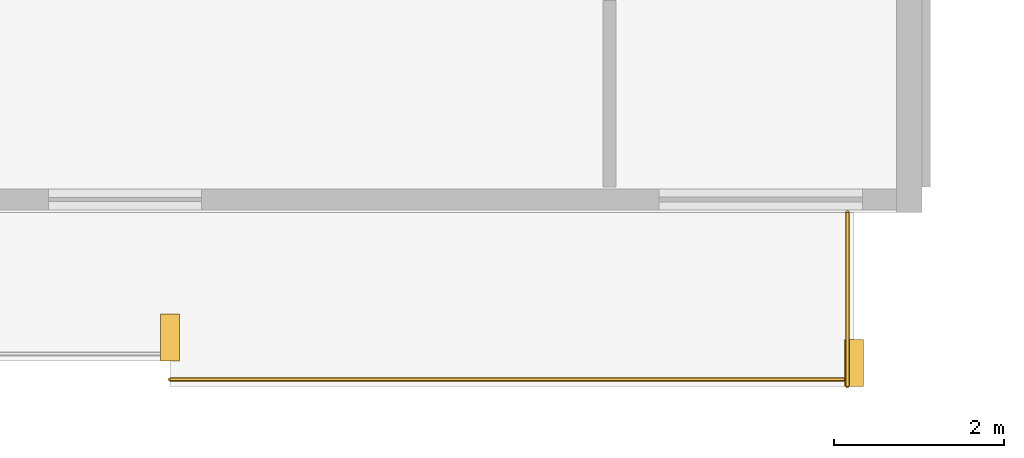
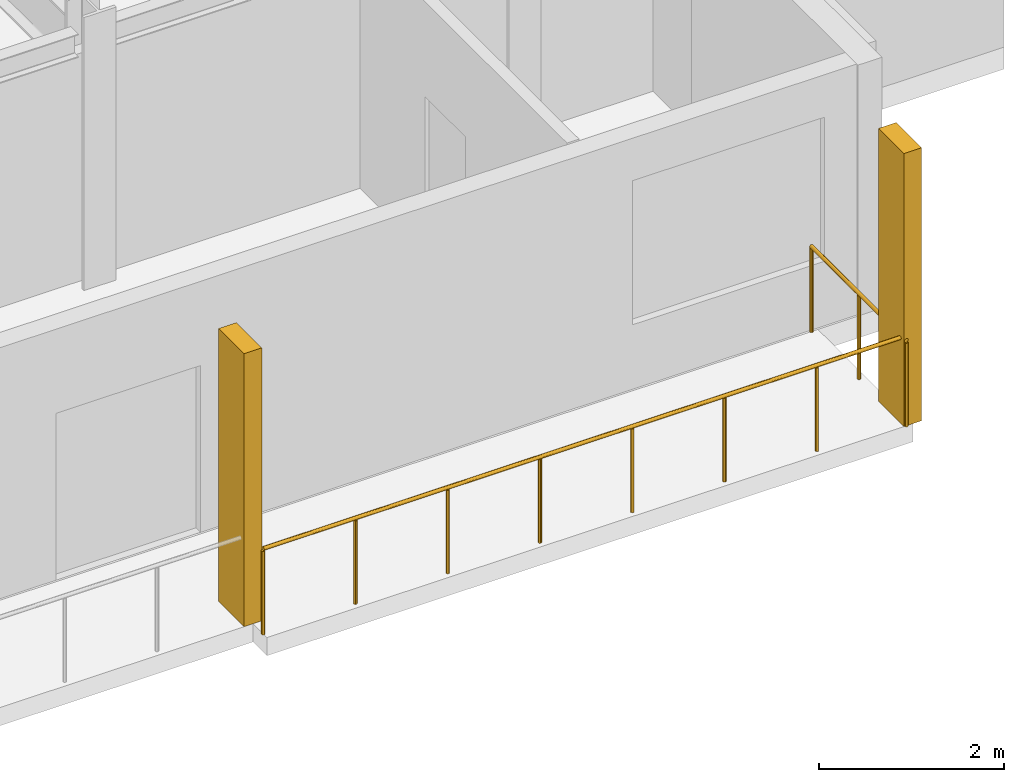
# One storey, part 33 of 35: 2 railings, 2 shading devices.
"""IFC4 building model written with IfcOpenShell, lengths in metres."""

from ifc_helpers import new_model, si_unit, direction, frame, origin, origin_2d, place, context, subcontext, project, spatial, rectangle, circle, extrude, material, type_object, element, save


model = new_model("IFC4")

# Units and contexts
model_context = context("Model", 3, precision=1e-05, world=origin(), true_north=direction((0.0, 1.0)))
body_context = subcontext(model_context, "Body", "Model", "MODEL_VIEW")
ifc_project = project(units=[si_unit("LENGTHUNIT", "METRE"), si_unit("AREAUNIT", "SQUARE_METRE"), si_unit("VOLUMEUNIT", "CUBIC_METRE"), si_unit("PLANEANGLEUNIT", "RADIAN"), si_unit("MASSUNIT", "GRAM", prefix="KILO")], contexts=[model_context])

# Site, building, storey
site_placement = place(None, origin())
site = spatial("IfcSite", under=ifc_project, at=site_placement, CompositionType="ELEMENT")
building_placement = place(site_placement, origin())
building = spatial("IfcBuilding", under=site, at=building_placement, Name="Korimba Cascade Residences", CompositionType="ELEMENT")
storey_placement = place(building_placement, frame((0.0, 0.0, 150.10009765625)))
storey = spatial("IfcBuildingStorey", under=building, at=storey_placement, Name="L43", CompositionType="ELEMENT", Elevation=150.10009765625)

# Railings
ifc_material_1 = material(Name="Laminated Glass and Bronze Balustrade", Category="glass")
railing_type = type_object("IfcRailingType", Name="RLG-LOG-1150", PredefinedType="BALUSTRADE", material=ifc_material_1)
railing_1_placement = place(storey_placement, frame((121.843017578125, -10.969970703125, 0.0)))
element("IfcRailing", 1, at=railing_1_placement, inside=storey, type_object=railing_type, Name="L43 Perimeter Guardrail RLG-L43-T2-LOG-06", PredefinedType="BALUSTRADE", context=body_context, shape_type="SweptSolid", body=[
    extrude(circle(Radius=0.02392578125, at=origin_2d()), frame((0.0, 0.0, 1.1259765625), z_axis=(1.0, 0.0, 0.0), x_axis=(0.0, 1.0, 0.0)), (0.0, 0.0, 1.0), 8.056884765625),
    extrude(circle(Radius=0.02099609375, at=origin_2d()), origin(), (0.0, 0.0, 1.0), 1.101806640625),
    extrude(circle(Radius=0.02099609375, at=origin_2d()), frame((1.15087890625, 0.0, 0.0)), (0.0, 0.0, 1.0), 1.101806640625),
    extrude(circle(Radius=0.02099609375, at=origin_2d()), frame((2.302001953125, 0.0, 0.0)), (0.0, 0.0, 1.0), 1.101806640625),
    extrude(circle(Radius=0.02099609375, at=origin_2d()), frame((3.452880859375, 0.0, 0.0)), (0.0, 0.0, 1.0), 1.101806640625),
    extrude(circle(Radius=0.02099609375, at=origin_2d()), frame((4.60400390625, 0.0, 0.0)), (0.0, 0.0, 1.0), 1.101806640625),
    extrude(circle(Radius=0.02099609375, at=origin_2d()), frame((5.7548828125, 0.0, 0.0)), (0.0, 0.0, 1.0), 1.101806640625),
    extrude(circle(Radius=0.02099609375, at=origin_2d()), frame((6.906005859375, 0.0, 0.0)), (0.0, 0.0, 1.0), 1.101806640625),
    extrude(circle(Radius=0.02099609375, at=origin_2d()), frame((8.056884765625, 0.0, 0.0)), (0.0, 0.0, 1.0), 1.101806640625),
])
railing_2_placement = place(storey_placement, frame((129.820068359375, -11.050048828125, 0.0)))
element("IfcRailing", 2, at=railing_2_placement, inside=storey, type_object=railing_type, Name="L43 Perimeter Guardrail RLG-L43-T2-LOG-07", PredefinedType="BALUSTRADE", context=body_context, shape_type="SweptSolid", body=[
    extrude(circle(Radius=0.02392578125, at=origin_2d()), frame((0.0, 0.0, 1.1259765625), z_axis=(0.0, 1.0, 0.0), x_axis=(-1.0, 0.0, 0.0)), (0.0, 0.0, 1.0), 2.050048828125),
    extrude(circle(Radius=0.02099609375, at=origin_2d()), origin(), (0.0, 0.0, 1.0), 1.101806640625),
    extrude(circle(Radius=0.02099609375, at=origin_2d()), frame((0.0, 1.02490234375, 0.0)), (0.0, 0.0, 1.0), 1.101806640625),
    extrude(circle(Radius=0.02099609375, at=origin_2d()), frame((0.0, 2.050048828125, 0.0)), (0.0, 0.0, 1.0), 1.101806640625),
])

# Shading devices
ifc_material_2 = material(Name="Honed Sandstone Precast Fin", Category="masonry")
shading_device_type = type_object("IfcShadingDeviceType", Name="SHD-FIN-550", PredefinedType="USERDEFINED", material=ifc_material_2)
for number, where, z_axis, x_axis, name in (
    (3, (121.843017578125, -10.47509765625, -0.000244140625), (0.0, 0.0, 1.0), (1.0, 0.0, 0.0), "L43 T2 Warm-Stone Loggia Fin 7"),
    (4, (129.89990234375, -10.77490234375, -0.000244140625), (0.0, 0.0, 1.0), (1.0, 0.0, 0.0), "L43 T2 Warm-Stone Loggia Fin 8"),
):
    element("IfcShadingDevice", number, at=place(storey_placement, frame(where, z_axis=z_axis, x_axis=x_axis)), inside=storey, type_object=shading_device_type, Name=name, ObjectType="FIN", PredefinedType="USERDEFINED", context=body_context, shape_type="SweptSolid", body=[
        extrude(rectangle(XDim=0.219970703125, YDim=0.550048828125, at=origin_2d()), origin(), (0.0, 0.0, 1.0), 3.60009765625),
    ])

save(model, "model.ifc")
